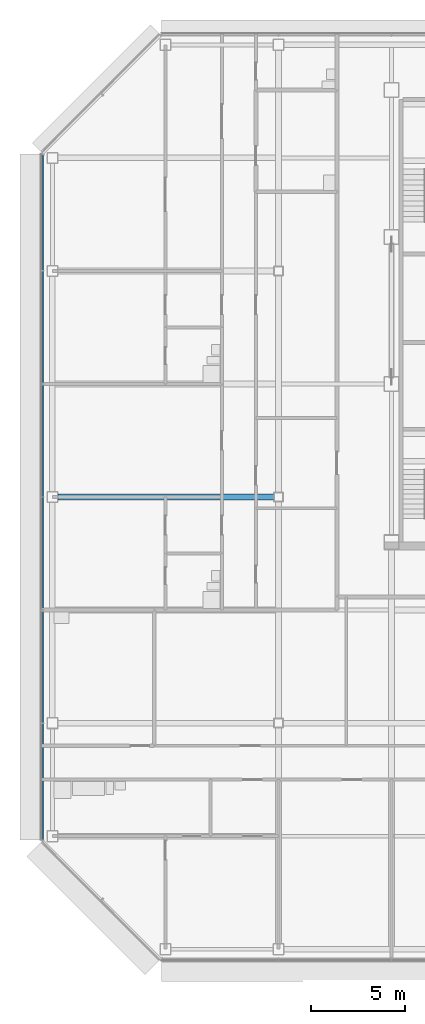
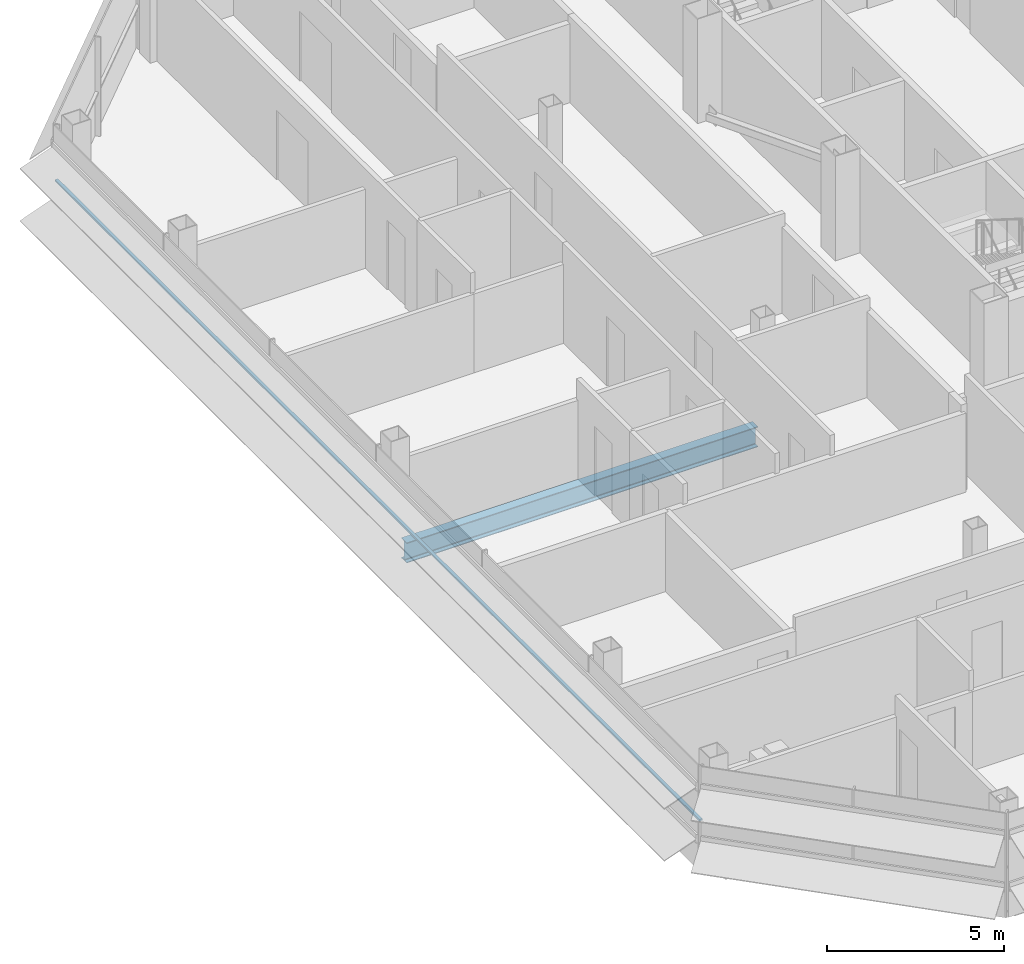
# One storey, part 6 of 28: 1 beam, 1 member, 1 element without a shape of its own.
"""IFC4 building model written with IfcOpenShell, lengths in metres."""

from ifc_helpers import new_model, si_unit, direction, frame, origin, origin_2d, place, context, subcontext, project, spatial, rectangle, i_section, extrude, material, material_profile, profile_set, type_object, element, aggregate, save


model = new_model("IFC4")

# Units and contexts
model_context = context("Model", 3, precision=1e-05, world=origin(), true_north=direction((0.0, 1.0)))
body_context = subcontext(model_context, "Body", "Model", "MODEL_VIEW")
ifc_project = project(units=[si_unit("LENGTHUNIT", "METRE"), si_unit("AREAUNIT", "SQUARE_METRE"), si_unit("VOLUMEUNIT", "CUBIC_METRE"), si_unit("PLANEANGLEUNIT", "RADIAN"), si_unit("MASSUNIT", "GRAM", prefix="KILO")], contexts=[model_context])

# Site, building, storey
site_placement = place(None, origin())
site = spatial("IfcSite", under=ifc_project, at=site_placement, CompositionType="ELEMENT")
building_placement = place(site_placement, origin())
building = spatial("IfcBuilding", under=site, at=building_placement, Name="Sorahane Residences", CompositionType="ELEMENT")
storey_placement = place(building_placement, frame((0.0, 0.0, 266.60009765625)))
storey = spatial("IfcBuildingStorey", under=building, at=storey_placement, Name="L63", CompositionType="ELEMENT", Elevation=266.60009765625)

# Curtain wall, member
ifc_material_1 = material(Name="Dark low-e glass and black anodised aluminium", Category="aluminium")
curtain_wall_type = type_object("IfcCurtainWallType", Name="Curtain wall CW-1 Typical unitised wall", PredefinedType="NOTDEFINED", material=ifc_material_1)
curtain_wall_placement = place(storey_placement, origin())
curtain_wall = element("IfcCurtainWall", 1, at=curtain_wall_placement, inside=storey, type_object=curtain_wall_type, Name="CW-1 curtain wall L63 W1", PredefinedType="NOTDEFINED")
ifc_material_2 = material(Name="Black anodised aluminium", Category="aluminium")
ifc_material_profile_1 = material_profile(ifc_material_2, rectangle(XDim=0.10009765625, YDim=0.06005859375, at=origin_2d()), Name="Curtain wall transom CW-1 black anodised aluminium 60x100")
ifc_profile_set_1 = profile_set([ifc_material_profile_1], Name="Black anodised aluminium")
member_type = type_object("IfcMemberType", Name="Curtain wall transom CW-1 black anodised aluminium 60x100", PredefinedType="USERDEFINED", material=ifc_profile_set_1)
member_placement = place(storey_placement, frame((-12.530029296875, 42.198486328125, 1.5), z_axis=(0.0, -1.0, 0.0), x_axis=(1.0, 0.0, 0.0)))
member = element("IfcMember", 2, at=member_placement, type_object=member_type, Name="CW-1 transom L63 W1", ObjectType="TRANSOM", PredefinedType="USERDEFINED", context=body_context, shape_type="SweptSolid", body=[
    extrude(rectangle(XDim=0.10009765625, YDim=0.06005859375, at=origin_2d()), origin(), (0.0, 0.0, 1.0), 36.39697265625),
])
aggregate(curtain_wall, [member])

# Beam
ifc_material_3 = material(Name="Steel Q355B", Category="steel")
ifc_material_profile_2 = material_profile(ifc_material_3, i_section(OverallWidth=0.300048828125, OverallDepth=0.699951171875, WebThickness=0.012939453125, FlangeThickness=0.02392578125, FilletRadius=0.028076171875, at=origin_2d()), Name="HN 700x300x13x24")
ifc_profile_set_2 = profile_set([ifc_material_profile_2], Name="Steel Q355B")
beam_type = type_object("IfcBeamType", Name="Steel floor beam HN 700x300x13x24 Q355B", PredefinedType="BEAM", material=ifc_profile_set_2)
beam_placement = place(storey_placement, frame((-11.699951171875, 24.0, -0.530029296875), z_axis=(1.0, 0.0, 0.0), x_axis=(0.0, 1.0, 0.0)))
element("IfcBeam", 3, at=beam_placement, inside=storey, type_object=beam_type, Name="Beam L63 011", PredefinedType="BEAM", context=body_context, shape_type="SweptSolid", body=[
    extrude(i_section(OverallWidth=0.300048828125, OverallDepth=0.699951171875, WebThickness=0.012939453125, FlangeThickness=0.02392578125, FilletRadius=0.028076171875, at=origin_2d()), origin(), (0.0, 0.0, 1.0), 11.449951171875),
])

save(model, "model.ifc")
